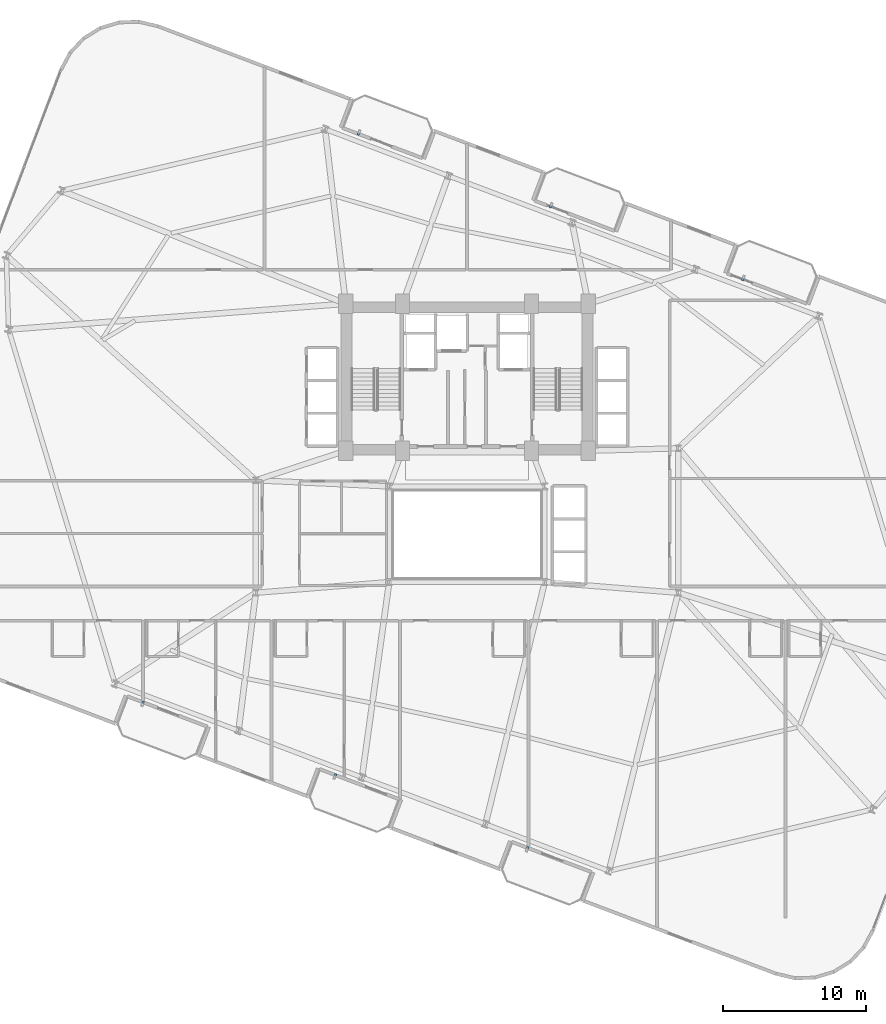
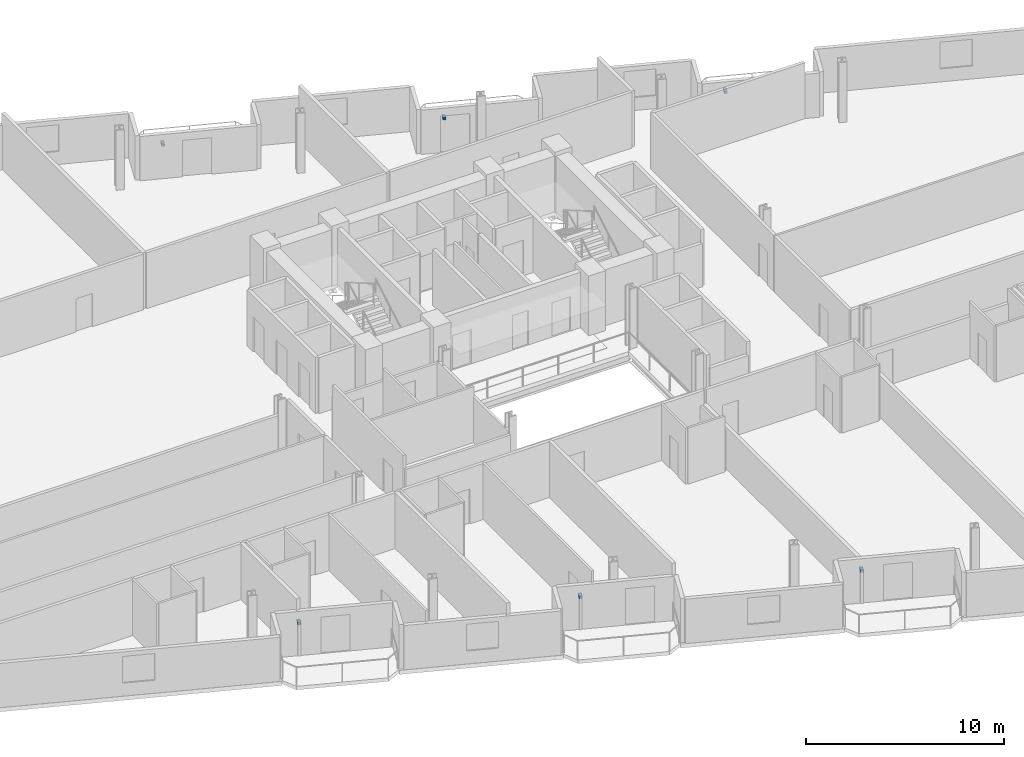
# One storey, part 22 of 25: 6 discrete accessories.
"""IFC4 building model written with IfcOpenShell, lengths in metres."""

from ifc_helpers import new_model, si_unit, direction, frame, origin, origin_2d, place, context, subcontext, project, spatial, rectangle, extrude, source, transform, mapped, material, type_object, element, save


model = new_model("IFC4")

# Units and contexts
model_context = context("Model", 3, precision=1e-05, world=origin(), true_north=direction((0.0, 1.0)))
body_context = subcontext(model_context, "Body", "Model", "MODEL_VIEW")
ifc_project = project(units=[si_unit("LENGTHUNIT", "METRE"), si_unit("AREAUNIT", "SQUARE_METRE"), si_unit("VOLUMEUNIT", "CUBIC_METRE"), si_unit("PLANEANGLEUNIT", "RADIAN"), si_unit("MASSUNIT", "GRAM", prefix="KILO")], contexts=[model_context])

# Site, building, storey
site_placement = place(None, origin())
site = spatial("IfcSite", under=ifc_project, at=site_placement, CompositionType="ELEMENT")
building_placement = place(site_placement, origin())
building = spatial("IfcBuilding", under=site, at=building_placement, Name="Varnelok Gate Tower", CompositionType="ELEMENT")
storey_placement = place(building_placement, frame((0.0, 0.0, 79.89990234375)))
storey = spatial("IfcBuildingStorey", under=building, at=storey_placement, Name="L19", CompositionType="ELEMENT", Elevation=79.89990234375)

# Discrete accessories
ifc_material = material(Name="Structural Steel ASTM A500 Grade C", Category="steel")
discrete_accessory_type = type_object("IfcDiscreteAccessoryType", Name="ACC-BAGUETTE-BRK", PredefinedType="BRACKET", material=ifc_material)
shared_shape = source(origin(), body_context, "Body", "SweptSolid", [
    extrude(rectangle(XDim=0.159912109375, YDim=0.340087890625, at=origin_2d()), origin(), (0.0, 0.0, 1.0), 0.139892578125),
])
for number, where, z_axis, x_axis, name in (
    (1, (16.483154296875, 11.050048828125, 1.97998046875), (0.0, 0.0, 1.0), (0.935221751401, -0.354062530786, 0.0), "L19 Terracotta Baguette Bracket 1.1"),
    (2, (29.9501953125, 5.95166015625, 1.97998046875), (0.0, 0.0, 1.0), (0.935221751401, -0.354062530786, 0.0), "L19 Terracotta Baguette Bracket 2.1"),
    (3, (43.41748046875, 0.85302734375, 1.97998046875), (0.0, 0.0, 1.0), (0.935221751401, -0.354062530786, 0.0), "L19 Terracotta Baguette Bracket 3.1"),
    (4, (31.61572265625, 51.021484375, 1.97998046875), (0.0, 0.0, 1.0), (0.935221751401, -0.354062530786, 0.0), "L19 Terracotta Baguette Bracket 4.1"),
    (5, (45.0830078125, 45.923095703125, 1.97998046875), (0.0, 0.0, 1.0), (0.935221751401, -0.354062530786, 0.0), "L19 Terracotta Baguette Bracket 5.1"),
    (6, (58.550048828125, 40.824462890625, 1.97998046875), (0.0, 0.0, 1.0), (0.935221751401, -0.354062530786, 0.0), "L19 Terracotta Baguette Bracket 6.1"),
):
    element("IfcDiscreteAccessory", number, at=place(storey_placement, frame(where, z_axis=z_axis, x_axis=x_axis)), inside=storey, type_object=discrete_accessory_type, Name=name, PredefinedType="BRACKET", context=body_context, shape_type="MappedRepresentation", body=[
        mapped(shared_shape, transform((0.0, 0.0, 0.0), scale=1.0)),
    ])

save(model, "model.ifc")
